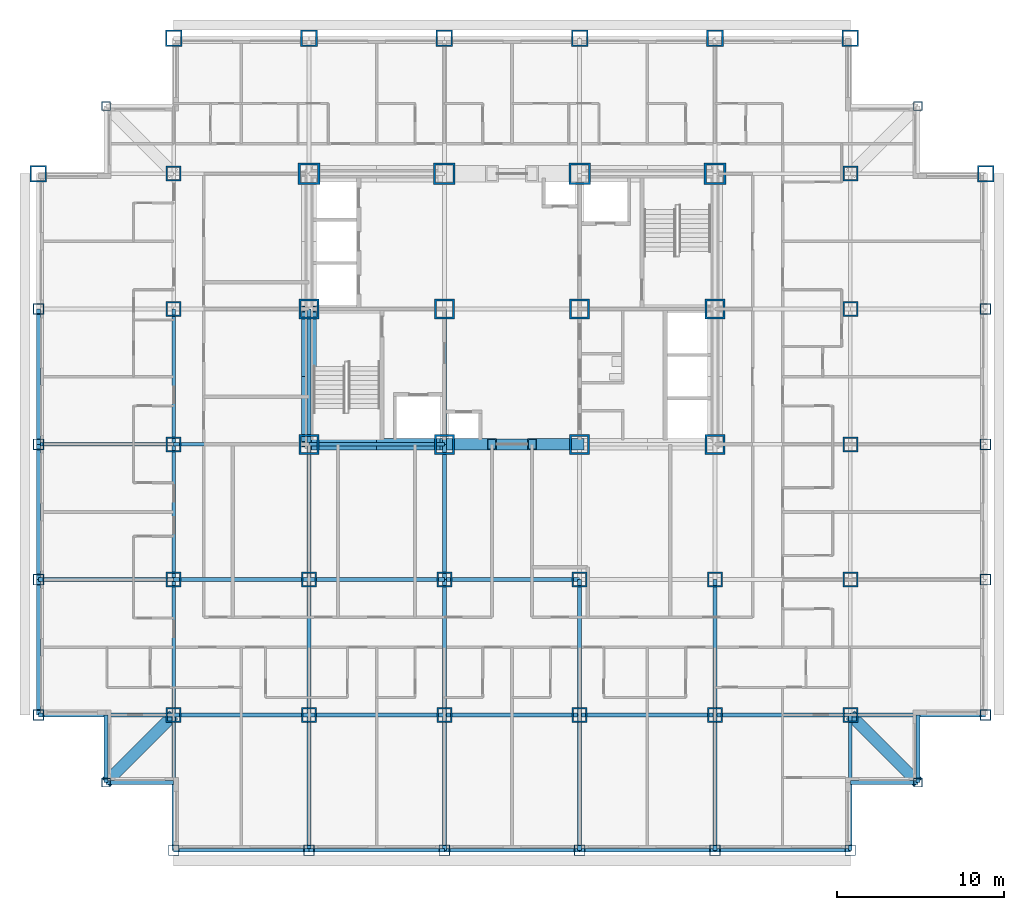
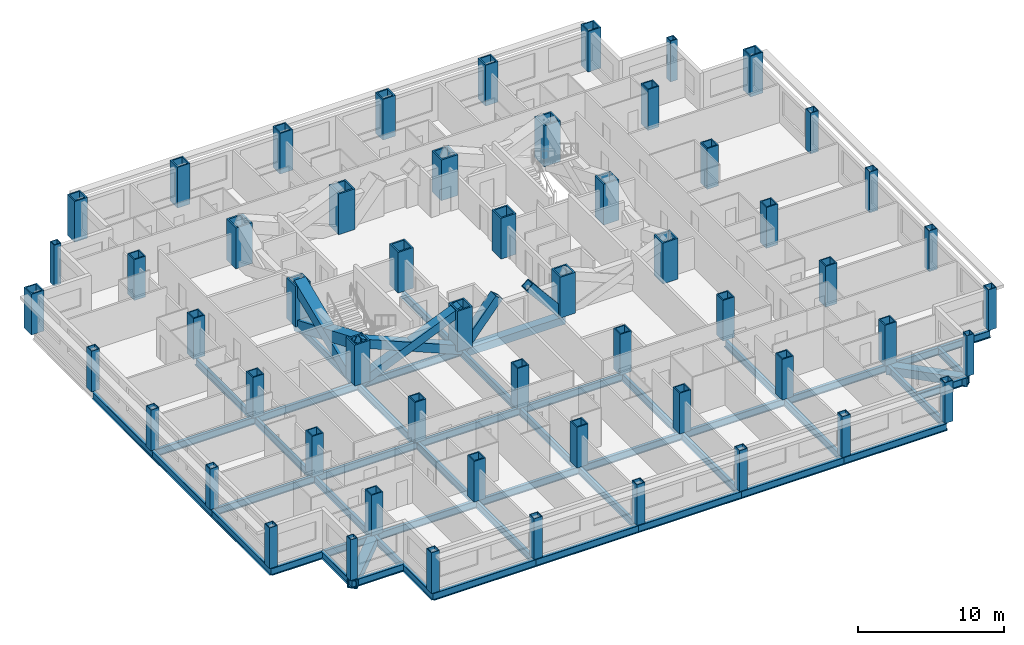
# One storey, part 1 of 13: 56 columns, 46 beams, 6 members.
"""IFC4 building model written with IfcOpenShell, lengths in metres."""

from ifc_helpers import new_model, si_unit, direction, frame, origin, origin_2d, place, context, subcontext, project, spatial, hollow_rectangle, i_section, extrude, material, material_profile, profile_set, type_object, element, save


model = new_model("IFC4")

# Units and contexts
model_context = context("Model", 3, precision=1e-05, world=origin(), true_north=direction((0.0, 1.0)))
body_context = subcontext(model_context, "Body", "Model", "MODEL_VIEW")
ifc_project = project(units=[si_unit("LENGTHUNIT", "METRE"), si_unit("AREAUNIT", "SQUARE_METRE"), si_unit("VOLUMEUNIT", "CUBIC_METRE"), si_unit("PLANEANGLEUNIT", "RADIAN"), si_unit("MASSUNIT", "GRAM", prefix="KILO")], contexts=[model_context])

# Site, building, storey
site_placement = place(None, origin())
site = spatial("IfcSite", under=ifc_project, at=site_placement, CompositionType="ELEMENT")
building_placement = place(site_placement, origin())
building = spatial("IfcBuilding", under=site, at=building_placement, Name="Kopane Lantern Tower", CompositionType="ELEMENT")
storey_placement = place(building_placement, frame((0.0, 0.0, 67.0)))
storey = spatial("IfcBuildingStorey", under=building, at=storey_placement, Name="L16", CompositionType="ELEMENT", Elevation=67.0)

# Columns
ifc_material_1 = material(Name="Steel S355JR", Category="steel")
ifc_material_profile_1 = material_profile(ifc_material_1, hollow_rectangle(XDim=1.0, YDim=1.0, WallThickness=0.10009765625, at=origin_2d()), Name="BOX 1000x1000x100")
ifc_profile_set_1 = profile_set([ifc_material_profile_1], Name="Steel S355JR")
column_type_1 = type_object("IfcColumnType", Name="COLUMN BOX 1000x1000x100", PredefinedType="COLUMN", material=ifc_profile_set_1)
for number, where, z_axis, x_axis, name in (
    (1, (0.0, 40.5, 0.0), (0.0, 0.0, 1.0), (1.0, 0.0, 0.0), "Column 2/G L16"),
    (2, (8.10009765625, 48.60009765625, 0.0), (0.0, 0.0, 1.0), (1.0, 0.0, 0.0), "Column 3/H L16"),
    (3, (16.199951171875, 48.60009765625, 0.0), (0.0, 0.0, 1.0), (1.0, 0.0, 0.0), "Column 4/H L16"),
    (4, (24.300048828125, 48.60009765625, 0.0), (0.0, 0.0, 1.0), (1.0, 0.0, 0.0), "Column 5/H L16"),
    (5, (32.39990234375, 48.60009765625, 0.0), (0.0, 0.0, 1.0), (1.0, 0.0, 0.0), "Column 6/H L16"),
    (6, (40.5, 48.60009765625, 0.0), (0.0, 0.0, 1.0), (1.0, 0.0, 0.0), "Column 7/H L16"),
    (7, (48.60009765625, 48.60009765625, 0.0), (0.0, 0.0, 1.0), (1.0, 0.0, 0.0), "Column 8/H L16"),
    (8, (56.699951171875, 40.5, 0.0), (0.0, 0.0, 1.0), (1.0, 0.0, 0.0), "Column 9/G L16"),
):
    element("IfcColumn", number, at=place(storey_placement, frame(where, z_axis=z_axis, x_axis=x_axis)), inside=storey, type_object=column_type_1, Name=name, PredefinedType="COLUMN", context=body_context, shape_type="SweptSolid", body=[
        extrude(hollow_rectangle(XDim=1.0, YDim=1.0, WallThickness=0.10009765625, at=origin_2d()), origin(), (0.0, 0.0, 1.0), 3.39990234375),
    ])
ifc_material_2 = material(Name="Steel S355JR", Category="steel")
ifc_material_profile_2 = material_profile(ifc_material_2, hollow_rectangle(XDim=1.199951171875, YDim=1.199951171875, WallThickness=0.1201171875, at=origin_2d()), Name="BOX 1200x1200x120")
ifc_profile_set_2 = profile_set([ifc_material_profile_2], Name="Steel S355JR")
column_type_2 = type_object("IfcColumnType", Name="COLUMN BOX 1200x1200x120", PredefinedType="COLUMN", material=ifc_profile_set_2)
for number, where, z_axis, x_axis, name in (
    (9, (16.199951171875, 24.300048828125, 0.0), (0.0, 0.0, 1.0), (1.0, 0.0, 0.0), "Column 4/E L16"),
    (10, (16.199951171875, 32.39990234375, 0.0), (0.0, 0.0, 1.0), (1.0, 0.0, 0.0), "Column 4/F L16"),
    (11, (24.300048828125, 24.300048828125, 0.0), (0.0, 0.0, 1.0), (1.0, 0.0, 0.0), "Column 5/E L16"),
    (12, (24.300048828125, 32.39990234375, 0.0), (0.0, 0.0, 1.0), (1.0, 0.0, 0.0), "Column 5/F L16"),
    (13, (32.39990234375, 24.300048828125, 0.0), (0.0, 0.0, 1.0), (1.0, 0.0, 0.0), "Column 6/E L16"),
    (14, (32.39990234375, 32.39990234375, 0.0), (0.0, 0.0, 1.0), (1.0, 0.0, 0.0), "Column 6/F L16"),
    (15, (40.5, 24.300048828125, 0.0), (0.0, 0.0, 1.0), (1.0, 0.0, 0.0), "Column 7/E L16"),
    (16, (40.5, 32.39990234375, 0.0), (0.0, 0.0, 1.0), (1.0, 0.0, 0.0), "Column 7/F L16"),
):
    element("IfcColumn", number, at=place(storey_placement, frame(where, z_axis=z_axis, x_axis=x_axis)), inside=storey, type_object=column_type_2, Name=name, PredefinedType="COLUMN", context=body_context, shape_type="SweptSolid", body=[
        extrude(hollow_rectangle(XDim=1.199951171875, YDim=1.199951171875, WallThickness=0.1201171875, at=origin_2d()), origin(), (0.0, 0.0, 1.0), 3.39990234375),
    ])
ifc_material_3 = material(Name="Steel S355JR", Category="steel")
ifc_material_profile_3 = material_profile(ifc_material_3, hollow_rectangle(XDim=1.300048828125, YDim=1.300048828125, WallThickness=0.1298828125, at=origin_2d()), Name="BOX 1300x1300x130")
ifc_profile_set_3 = profile_set([ifc_material_profile_3], Name="Steel S355JR")
column_type_3 = type_object("IfcColumnType", Name="COLUMN BOX 1300x1300x130", PredefinedType="COLUMN", material=ifc_profile_set_3)
for number, where, z_axis, x_axis, name in (
    (17, (16.199951171875, 40.5, 0.0), (0.0, 0.0, 1.0), (1.0, 0.0, 0.0), "Column 4/G L16"),
    (18, (24.300048828125, 40.5, 0.0), (0.0, 0.0, 1.0), (1.0, 0.0, 0.0), "Column 5/G L16"),
    (19, (32.39990234375, 40.5, 0.0), (0.0, 0.0, 1.0), (1.0, 0.0, 0.0), "Column 6/G L16"),
    (20, (40.5, 40.5, 0.0), (0.0, 0.0, 1.0), (1.0, 0.0, 0.0), "Column 7/G L16"),
):
    element("IfcColumn", number, at=place(storey_placement, frame(where, z_axis=z_axis, x_axis=x_axis)), inside=storey, type_object=column_type_3, Name=name, PredefinedType="COLUMN", context=body_context, shape_type="SweptSolid", body=[
        extrude(hollow_rectangle(XDim=1.300048828125, YDim=1.300048828125, WallThickness=0.1298828125, at=origin_2d()), origin(), (0.0, 0.0, 1.0), 3.39990234375),
    ])
ifc_material_4 = material(Name="Steel S355JR", Category="steel")
ifc_material_profile_4 = material_profile(ifc_material_4, hollow_rectangle(XDim=0.550048828125, YDim=0.550048828125, WallThickness=0.050048828125, at=origin_2d()), Name="BOX 550x550x50")
ifc_profile_set_4 = profile_set([ifc_material_profile_4], Name="Steel S355JR")
column_type_4 = type_object("IfcColumnType", Name="COLUMN BOX 550x550x50", PredefinedType="COLUMN", material=ifc_profile_set_4)
for number, where, z_axis, x_axis, name in (
    (21, (4.050048828125, 4.050048828125, 0.0), (0.0, 0.0, 1.0), (1.0, 0.0, 0.0), "Column 4.05/4.05 L16"),
    (22, (4.050048828125, 44.550048828125, 0.0), (0.0, 0.0, 1.0), (1.0, 0.0, 0.0), "Column 4.05/44.55 L16"),
    (23, (52.64990234375, 4.050048828125, 0.0), (0.0, 0.0, 1.0), (1.0, 0.0, 0.0), "Column 52.65/4.05 L16"),
    (24, (52.64990234375, 44.550048828125, 0.0), (0.0, 0.0, 1.0), (1.0, 0.0, 0.0), "Column 52.65/44.55 L16"),
):
    element("IfcColumn", number, at=place(storey_placement, frame(where, z_axis=z_axis, x_axis=x_axis)), inside=storey, type_object=column_type_4, Name=name, PredefinedType="COLUMN", context=body_context, shape_type="SweptSolid", body=[
        extrude(hollow_rectangle(XDim=0.550048828125, YDim=0.550048828125, WallThickness=0.050048828125, at=origin_2d()), origin(), (0.0, 0.0, 1.0), 3.39990234375),
    ])
ifc_material_5 = material(Name="Steel S355JR", Category="steel")
ifc_material_profile_5 = material_profile(ifc_material_5, hollow_rectangle(XDim=0.64990234375, YDim=0.64990234375, WallThickness=0.050048828125, at=origin_2d()), Name="BOX 650x650x50")
ifc_profile_set_5 = profile_set([ifc_material_profile_5], Name="Steel S355JR")
column_type_5 = type_object("IfcColumnType", Name="COLUMN BOX 650x650x50", PredefinedType="COLUMN", material=ifc_profile_set_5)
for number, where, z_axis, x_axis, name in (
    (25, (0.0, 8.10009765625, 0.0), (0.0, 0.0, 1.0), (1.0, 0.0, 0.0), "Column 2/C L16"),
    (26, (0.0, 16.199951171875, 0.0), (0.0, 0.0, 1.0), (1.0, 0.0, 0.0), "Column 2/D L16"),
    (27, (0.0, 24.300048828125, 0.0), (0.0, 0.0, 1.0), (1.0, 0.0, 0.0), "Column 2/E L16"),
    (28, (0.0, 32.39990234375, 0.0), (0.0, 0.0, 1.0), (1.0, 0.0, 0.0), "Column 2/F L16"),
    (29, (8.10009765625, 0.0, 0.0), (0.0, 0.0, 1.0), (1.0, 0.0, 0.0), "Column 3/B L16"),
    (30, (16.199951171875, 0.0, 0.0), (0.0, 0.0, 1.0), (1.0, 0.0, 0.0), "Column 4/B L16"),
    (31, (24.300048828125, 0.0, 0.0), (0.0, 0.0, 1.0), (1.0, 0.0, 0.0), "Column 5/B L16"),
    (32, (32.39990234375, 0.0, 0.0), (0.0, 0.0, 1.0), (1.0, 0.0, 0.0), "Column 6/B L16"),
    (33, (40.5, 0.0, 0.0), (0.0, 0.0, 1.0), (1.0, 0.0, 0.0), "Column 7/B L16"),
    (34, (48.60009765625, 0.0, 0.0), (0.0, 0.0, 1.0), (1.0, 0.0, 0.0), "Column 8/B L16"),
    (35, (56.699951171875, 8.10009765625, 0.0), (0.0, 0.0, 1.0), (1.0, 0.0, 0.0), "Column 9/C L16"),
    (36, (56.699951171875, 16.199951171875, 0.0), (0.0, 0.0, 1.0), (1.0, 0.0, 0.0), "Column 9/D L16"),
    (37, (56.699951171875, 24.300048828125, 0.0), (0.0, 0.0, 1.0), (1.0, 0.0, 0.0), "Column 9/E L16"),
    (38, (56.699951171875, 32.39990234375, 0.0), (0.0, 0.0, 1.0), (1.0, 0.0, 0.0), "Column 9/F L16"),
):
    element("IfcColumn", number, at=place(storey_placement, frame(where, z_axis=z_axis, x_axis=x_axis)), inside=storey, type_object=column_type_5, Name=name, PredefinedType="COLUMN", context=body_context, shape_type="SweptSolid", body=[
        extrude(hollow_rectangle(XDim=0.64990234375, YDim=0.64990234375, WallThickness=0.050048828125, at=origin_2d()), origin(), (0.0, 0.0, 1.0), 3.39990234375),
    ])
ifc_material_6 = material(Name="Steel S355JR", Category="steel")
ifc_material_profile_6 = material_profile(ifc_material_6, hollow_rectangle(XDim=0.89990234375, YDim=0.89990234375, WallThickness=0.090087890625, at=origin_2d()), Name="BOX 900x900x90")
ifc_profile_set_6 = profile_set([ifc_material_profile_6], Name="Steel S355JR")
column_type_6 = type_object("IfcColumnType", Name="COLUMN BOX 900x900x90", PredefinedType="COLUMN", material=ifc_profile_set_6)
for number, where, z_axis, x_axis, name in (
    (39, (8.10009765625, 8.10009765625, 0.0), (0.0, 0.0, 1.0), (1.0, 0.0, 0.0), "Column 3/C L16"),
    (40, (8.10009765625, 16.199951171875, 0.0), (0.0, 0.0, 1.0), (1.0, 0.0, 0.0), "Column 3/D L16"),
    (41, (8.10009765625, 24.300048828125, 0.0), (0.0, 0.0, 1.0), (1.0, 0.0, 0.0), "Column 3/E L16"),
    (42, (8.10009765625, 32.39990234375, 0.0), (0.0, 0.0, 1.0), (1.0, 0.0, 0.0), "Column 3/F L16"),
    (43, (8.10009765625, 40.5, 0.0), (0.0, 0.0, 1.0), (1.0, 0.0, 0.0), "Column 3/G L16"),
    (44, (16.199951171875, 8.10009765625, 0.0), (0.0, 0.0, 1.0), (1.0, 0.0, 0.0), "Column 4/C L16"),
    (45, (16.199951171875, 16.199951171875, 0.0), (0.0, 0.0, 1.0), (1.0, 0.0, 0.0), "Column 4/D L16"),
    (46, (24.300048828125, 8.10009765625, 0.0), (0.0, 0.0, 1.0), (1.0, 0.0, 0.0), "Column 5/C L16"),
    (47, (24.300048828125, 16.199951171875, 0.0), (0.0, 0.0, 1.0), (1.0, 0.0, 0.0), "Column 5/D L16"),
    (48, (32.39990234375, 8.10009765625, 0.0), (0.0, 0.0, 1.0), (1.0, 0.0, 0.0), "Column 6/C L16"),
    (49, (32.39990234375, 16.199951171875, 0.0), (0.0, 0.0, 1.0), (1.0, 0.0, 0.0), "Column 6/D L16"),
    (50, (40.5, 8.10009765625, 0.0), (0.0, 0.0, 1.0), (1.0, 0.0, 0.0), "Column 7/C L16"),
    (51, (40.5, 16.199951171875, 0.0), (0.0, 0.0, 1.0), (1.0, 0.0, 0.0), "Column 7/D L16"),
    (52, (48.60009765625, 8.10009765625, 0.0), (0.0, 0.0, 1.0), (1.0, 0.0, 0.0), "Column 8/C L16"),
    (53, (48.60009765625, 16.199951171875, 0.0), (0.0, 0.0, 1.0), (1.0, 0.0, 0.0), "Column 8/D L16"),
    (54, (48.60009765625, 24.300048828125, 0.0), (0.0, 0.0, 1.0), (1.0, 0.0, 0.0), "Column 8/E L16"),
    (55, (48.60009765625, 32.39990234375, 0.0), (0.0, 0.0, 1.0), (1.0, 0.0, 0.0), "Column 8/F L16"),
    (56, (48.60009765625, 40.5, 0.0), (0.0, 0.0, 1.0), (1.0, 0.0, 0.0), "Column 8/G L16"),
):
    element("IfcColumn", number, at=place(storey_placement, frame(where, z_axis=z_axis, x_axis=x_axis)), inside=storey, type_object=column_type_6, Name=name, PredefinedType="COLUMN", context=body_context, shape_type="SweptSolid", body=[
        extrude(hollow_rectangle(XDim=0.89990234375, YDim=0.89990234375, WallThickness=0.090087890625, at=origin_2d()), origin(), (0.0, 0.0, 1.0), 3.39990234375),
    ])

# Members
ifc_material_7 = material(Name="Steel S355JR", Category="steel")
ifc_material_profile_7 = material_profile(ifc_material_7, hollow_rectangle(XDim=0.699951171875, YDim=0.699951171875, WallThickness=0.06005859375, at=origin_2d()), Name="BOX 700x700x60")
ifc_profile_set_7 = profile_set([ifc_material_profile_7], Name="Steel S355JR")
member_type_1 = type_object("IfcMemberType", Name="BRACE BOX 700x700x60", PredefinedType="BRACE", material=ifc_profile_set_7)
for number, where, z_axis, x_axis, name in (
    (57, (16.199951171875, 24.300048828125, -0.2099609375), (0.922069000757, 0.0, 0.387025526088), (0.0, 1.0, 0.0), "Core brace L16"),
    (58, (24.300048828125, 24.300048828125, -0.2099609375), (-0.922069000757, 0.0, 0.387025526088), (0.0, -1.0, 0.0), "Core brace L16"),
):
    element("IfcMember", number, at=place(storey_placement, frame(where, z_axis=z_axis, x_axis=x_axis)), inside=storey, type_object=member_type_1, Name=name, PredefinedType="BRACE", context=body_context, shape_type="SweptSolid", body=[
        extrude(hollow_rectangle(XDim=0.699951171875, YDim=0.699951171875, WallThickness=0.06005859375, at=origin_2d()), origin(), (0.0, 0.0, 1.0), 8.78466796875),
    ])
for number, where, z_axis, x_axis, name in (
    (59, (24.300048828125, 24.300048828125, -0.2099609375), (0.642390257445, 0.0, 0.7663776857), (0.0, 1.0, 0.0), "Core brace L16"),
    (60, (32.39990234375, 24.300048828125, -0.2099609375), (-0.642390257445, 0.0, 0.7663776857), (0.0, -1.0, 0.0), "Core brace L16"),
):
    element("IfcMember", number, at=place(storey_placement, frame(where, z_axis=z_axis, x_axis=x_axis)), inside=storey, type_object=member_type_1, Name=name, PredefinedType="BRACE", context=body_context, shape_type="SweptSolid", body=[
        extrude(hollow_rectangle(XDim=0.699951171875, YDim=0.699951171875, WallThickness=0.06005859375, at=origin_2d()), origin(), (0.0, 0.0, 1.0), 4.436279296875),
    ])
ifc_material_8 = material(Name="Steel S355JR", Category="steel")
ifc_material_profile_8 = material_profile(ifc_material_8, hollow_rectangle(XDim=0.89990234375, YDim=0.89990234375, WallThickness=0.090087890625, at=origin_2d()), Name="BOX 900x900x90")
ifc_profile_set_8 = profile_set([ifc_material_profile_8], Name="Steel S355JR")
member_type_2 = type_object("IfcMemberType", Name="BRACE BOX 900x900x90", PredefinedType="BRACE", material=ifc_profile_set_8)
for number, where, z_axis, x_axis, name in (
    (61, (16.199951171875, 24.300048828125, -0.2099609375), (0.0, 0.922064837731, 0.38703544414), (-1.0, 0.0, 0.0), "Core brace L16"),
    (62, (16.199951171875, 32.39990234375, -0.2099609375), (0.0, -0.922064837731, 0.38703544414), (1.0, 0.0, 0.0), "Core brace L16"),
):
    element("IfcMember", number, at=place(storey_placement, frame(where, z_axis=z_axis, x_axis=x_axis)), inside=storey, type_object=member_type_2, Name=name, PredefinedType="BRACE", context=body_context, shape_type="SweptSolid", body=[
        extrude(hollow_rectangle(XDim=0.89990234375, YDim=0.89990234375, WallThickness=0.090087890625, at=origin_2d()), origin(), (0.0, 0.0, 1.0), 8.784423828125),
    ])

# Beams
ifc_material_9 = material(Name="Steel S355JR", Category="steel")
ifc_material_profile_9 = material_profile(ifc_material_9, i_section(OverallWidth=0.22900390625, OverallDepth=0.6123046875, WebThickness=0.011962890625, FlangeThickness=0.01953125, FilletRadius=0.0126953125, at=origin_2d()), Name="UB 610x229x125")
ifc_profile_set_9 = profile_set([ifc_material_profile_9], Name="Steel S355JR")
beam_type_1 = type_object("IfcBeamType", Name="CORE BEAM UB 610x229x125", PredefinedType="BEAM", material=ifc_profile_set_9)
beam_1_placement = place(storey_placement, frame((24.300048828125, 24.300048828125, -0.51611328125), z_axis=(0.0, 1.0, 0.0), x_axis=(-1.0, 0.0, 0.0)))
element("IfcBeam", 63, at=beam_1_placement, inside=storey, type_object=beam_type_1, Name="Core Beam L16", PredefinedType="BEAM", context=body_context, shape_type="SweptSolid", body=[
    extrude(i_section(OverallWidth=0.22900390625, OverallDepth=0.6123046875, WebThickness=0.011962890625, FlangeThickness=0.01953125, FilletRadius=0.0126953125, at=origin_2d()), origin(), (0.0, 0.0, 1.0), 8.099853515625),
])
ifc_material_10 = material(Name="Steel S355JR", Category="steel")
ifc_material_profile_10 = material_profile(ifc_material_10, hollow_rectangle(XDim=0.699951171875, YDim=0.699951171875, WallThickness=0.06005859375, at=origin_2d()), Name="BOX 700x700x60")
ifc_profile_set_10 = profile_set([ifc_material_profile_10], Name="Steel S355JR")
beam_type_2 = type_object("IfcBeamType", Name="CORNER TIE BEAM BOX 700x700x60", PredefinedType="BEAM", material=ifc_profile_set_10)
for number, where, z_axis, x_axis, name in (
    (64, (4.050048828125, 4.050048828125, -0.56005859375), (0.707106781187, 0.707106781187, 0.0), (-0.707106781187, 0.707106781187, 0.0), "Corner Tie Beam L16"),
    (65, (52.64990234375, 4.050048828125, -0.56005859375), (-0.707085467703, 0.707128094028, 0.0), (-0.707128094028, -0.707085467703, 0.0), "Corner Tie Beam L16"),
):
    element("IfcBeam", number, at=place(storey_placement, frame(where, z_axis=z_axis, x_axis=x_axis)), inside=storey, type_object=beam_type_2, Name=name, PredefinedType="BEAM", context=body_context, shape_type="SweptSolid", body=[
        extrude(hollow_rectangle(XDim=0.699951171875, YDim=0.699951171875, WallThickness=0.06005859375, at=origin_2d()), origin(), (0.0, 0.0, 1.0), 5.7275390625),
    ])
ifc_material_11 = material(Name="Steel S355JR", Category="steel")
ifc_material_profile_11 = material_profile(ifc_material_11, i_section(OverallWidth=0.22900390625, OverallDepth=0.6123046875, WebThickness=0.011962890625, FlangeThickness=0.01953125, FilletRadius=0.0126953125, at=origin_2d()), Name="UB 610x229x125")
ifc_profile_set_11 = profile_set([ifc_material_profile_11], Name="Steel S355JR")
beam_type_3 = type_object("IfcBeamType", Name="EDGE BEAM UB 610x229x125", PredefinedType="BEAM", material=ifc_profile_set_11)
for number, where, z_axis, x_axis, name in (
    (66, (4.050048828125, 4.050048828125, -0.51611328125), (0.0, 1.0, 0.0), (-1.0, 0.0, 0.0), "Edge Beam L16"),
    (67, (4.050048828125, 4.050048828125, -0.51611328125), (1.0, 0.0, 0.0), (0.0, 1.0, 0.0), "Edge Beam L16"),
):
    element("IfcBeam", number, at=place(storey_placement, frame(where, z_axis=z_axis, x_axis=x_axis)), inside=storey, type_object=beam_type_3, Name=name, PredefinedType="BEAM", context=body_context, shape_type="SweptSolid", body=[
        extrude(i_section(OverallWidth=0.22900390625, OverallDepth=0.6123046875, WebThickness=0.011962890625, FlangeThickness=0.01953125, FilletRadius=0.0126953125, at=origin_2d()), origin(), (0.0, 0.0, 1.0), 4.050048828125),
    ])
beam_2_placement = place(storey_placement, frame((52.64990234375, 4.050048828125, -0.51611328125), z_axis=(-1.0, 0.0, 0.0), x_axis=(0.0, -1.0, 0.0)))
element("IfcBeam", 68, at=beam_2_placement, inside=storey, type_object=beam_type_3, Name="Edge Beam L16", PredefinedType="BEAM", context=body_context, shape_type="SweptSolid", body=[
    extrude(i_section(OverallWidth=0.22900390625, OverallDepth=0.6123046875, WebThickness=0.011962890625, FlangeThickness=0.01953125, FilletRadius=0.0126953125, at=origin_2d()), origin(), (0.0, 0.0, 1.0), 4.0498046875),
])
beam_3_placement = place(storey_placement, frame((52.64990234375, 4.050048828125, -0.51611328125), z_axis=(0.0, 1.0, 0.0), x_axis=(-1.0, 0.0, 0.0)))
element("IfcBeam", 69, at=beam_3_placement, inside=storey, type_object=beam_type_3, Name="Edge Beam L16", PredefinedType="BEAM", context=body_context, shape_type="SweptSolid", body=[
    extrude(i_section(OverallWidth=0.22900390625, OverallDepth=0.6123046875, WebThickness=0.011962890625, FlangeThickness=0.01953125, FilletRadius=0.0126953125, at=origin_2d()), origin(), (0.0, 0.0, 1.0), 4.050048828125),
])
ifc_material_12 = material(Name="Steel S355JR", Category="steel")
ifc_material_profile_12 = material_profile(ifc_material_12, i_section(OverallWidth=0.22900390625, OverallDepth=0.6123046875, WebThickness=0.011962890625, FlangeThickness=0.01953125, FilletRadius=0.0126953125, at=origin_2d()), Name="UB 610x229x125")
ifc_profile_set_12 = profile_set([ifc_material_profile_12], Name="Steel S355JR")
beam_type_4 = type_object("IfcBeamType", Name="GIRDER UB 610x229x125", PredefinedType="BEAM", material=ifc_profile_set_12)
beam_4_placement = place(storey_placement, frame((0.0, 8.10009765625, -0.51611328125), z_axis=(0.0, 1.0, 0.0), x_axis=(-1.0, 0.0, 0.0)))
element("IfcBeam", 70, at=beam_4_placement, inside=storey, type_object=beam_type_4, Name="Girder L16", PredefinedType="BEAM", context=body_context, shape_type="SweptSolid", body=[
    extrude(i_section(OverallWidth=0.22900390625, OverallDepth=0.6123046875, WebThickness=0.011962890625, FlangeThickness=0.01953125, FilletRadius=0.0126953125, at=origin_2d()), origin(), (0.0, 0.0, 1.0), 8.099853515625),
])
for number, where, z_axis, x_axis, name in (
    (71, (0.0, 8.10009765625, -0.51611328125), (1.0, 0.0, 0.0), (0.0, 1.0, 0.0), "Girder L16"),
    (72, (0.0, 16.199951171875, -0.51611328125), (0.0, 1.0, 0.0), (-1.0, 0.0, 0.0), "Girder L16"),
    (73, (0.0, 16.199951171875, -0.51611328125), (1.0, 0.0, 0.0), (0.0, 1.0, 0.0), "Girder L16"),
):
    element("IfcBeam", number, at=place(storey_placement, frame(where, z_axis=z_axis, x_axis=x_axis)), inside=storey, type_object=beam_type_4, Name=name, PredefinedType="BEAM", context=body_context, shape_type="SweptSolid", body=[
        extrude(i_section(OverallWidth=0.22900390625, OverallDepth=0.6123046875, WebThickness=0.011962890625, FlangeThickness=0.01953125, FilletRadius=0.0126953125, at=origin_2d()), origin(), (0.0, 0.0, 1.0), 8.10009765625),
    ])
beam_5_placement = place(storey_placement, frame((0.0, 24.300048828125, -0.51611328125), z_axis=(0.0, 1.0, 0.0), x_axis=(-1.0, 0.0, 0.0)))
element("IfcBeam", 74, at=beam_5_placement, inside=storey, type_object=beam_type_4, Name="Girder L16", PredefinedType="BEAM", context=body_context, shape_type="SweptSolid", body=[
    extrude(i_section(OverallWidth=0.22900390625, OverallDepth=0.6123046875, WebThickness=0.011962890625, FlangeThickness=0.01953125, FilletRadius=0.0126953125, at=origin_2d()), origin(), (0.0, 0.0, 1.0), 8.099853515625),
])
for number, where, z_axis, x_axis, name in (
    (75, (0.0, 24.300048828125, -0.51611328125), (1.0, 0.0, 0.0), (0.0, 1.0, 0.0), "Girder L16"),
    (76, (8.10009765625, 0.0, -0.51611328125), (0.0, 1.0, 0.0), (-1.0, 0.0, 0.0), "Girder L16"),
):
    element("IfcBeam", number, at=place(storey_placement, frame(where, z_axis=z_axis, x_axis=x_axis)), inside=storey, type_object=beam_type_4, Name=name, PredefinedType="BEAM", context=body_context, shape_type="SweptSolid", body=[
        extrude(i_section(OverallWidth=0.22900390625, OverallDepth=0.6123046875, WebThickness=0.011962890625, FlangeThickness=0.01953125, FilletRadius=0.0126953125, at=origin_2d()), origin(), (0.0, 0.0, 1.0), 8.10009765625),
    ])
for number, where, z_axis, x_axis, name in (
    (77, (8.10009765625, 0.0, -0.51611328125), (1.0, 0.0, 0.0), (0.0, 1.0, 0.0), "Girder L16"),
    (78, (8.10009765625, 8.10009765625, -0.51611328125), (0.0, 1.0, 0.0), (-1.0, 0.0, 0.0), "Girder L16"),
    (79, (8.10009765625, 8.10009765625, -0.51611328125), (1.0, 0.0, 0.0), (0.0, 1.0, 0.0), "Girder L16"),
):
    element("IfcBeam", number, at=place(storey_placement, frame(where, z_axis=z_axis, x_axis=x_axis)), inside=storey, type_object=beam_type_4, Name=name, PredefinedType="BEAM", context=body_context, shape_type="SweptSolid", body=[
        extrude(i_section(OverallWidth=0.22900390625, OverallDepth=0.6123046875, WebThickness=0.011962890625, FlangeThickness=0.01953125, FilletRadius=0.0126953125, at=origin_2d()), origin(), (0.0, 0.0, 1.0), 8.099853515625),
    ])
beam_6_placement = place(storey_placement, frame((8.10009765625, 16.199951171875, -0.51611328125), z_axis=(0.0, 1.0, 0.0), x_axis=(-1.0, 0.0, 0.0)))
element("IfcBeam", 80, at=beam_6_placement, inside=storey, type_object=beam_type_4, Name="Girder L16", PredefinedType="BEAM", context=body_context, shape_type="SweptSolid", body=[
    extrude(i_section(OverallWidth=0.22900390625, OverallDepth=0.6123046875, WebThickness=0.011962890625, FlangeThickness=0.01953125, FilletRadius=0.0126953125, at=origin_2d()), origin(), (0.0, 0.0, 1.0), 8.10009765625),
])
for number, where, z_axis, x_axis, name in (
    (81, (8.10009765625, 16.199951171875, -0.51611328125), (1.0, 0.0, 0.0), (0.0, 1.0, 0.0), "Girder L16"),
    (82, (8.10009765625, 24.300048828125, -0.51611328125), (0.0, 1.0, 0.0), (-1.0, 0.0, 0.0), "Girder L16"),
    (83, (8.10009765625, 24.300048828125, -0.51611328125), (1.0, 0.0, 0.0), (0.0, 1.0, 0.0), "Girder L16"),
):
    element("IfcBeam", number, at=place(storey_placement, frame(where, z_axis=z_axis, x_axis=x_axis)), inside=storey, type_object=beam_type_4, Name=name, PredefinedType="BEAM", context=body_context, shape_type="SweptSolid", body=[
        extrude(i_section(OverallWidth=0.22900390625, OverallDepth=0.6123046875, WebThickness=0.011962890625, FlangeThickness=0.01953125, FilletRadius=0.0126953125, at=origin_2d()), origin(), (0.0, 0.0, 1.0), 8.099853515625),
    ])
for number, where, z_axis, x_axis, name in (
    (84, (16.199951171875, 0.0, -0.51611328125), (0.0, 1.0, 0.0), (-1.0, 0.0, 0.0), "Girder L16"),
    (85, (16.199951171875, 0.0, -0.51611328125), (1.0, 0.0, 0.0), (0.0, 1.0, 0.0), "Girder L16"),
):
    element("IfcBeam", number, at=place(storey_placement, frame(where, z_axis=z_axis, x_axis=x_axis)), inside=storey, type_object=beam_type_4, Name=name, PredefinedType="BEAM", context=body_context, shape_type="SweptSolid", body=[
        extrude(i_section(OverallWidth=0.22900390625, OverallDepth=0.6123046875, WebThickness=0.011962890625, FlangeThickness=0.01953125, FilletRadius=0.0126953125, at=origin_2d()), origin(), (0.0, 0.0, 1.0), 8.10009765625),
    ])
beam_7_placement = place(storey_placement, frame((16.199951171875, 8.10009765625, -0.51611328125), z_axis=(0.0, 1.0, 0.0), x_axis=(-1.0, 0.0, 0.0)))
element("IfcBeam", 86, at=beam_7_placement, inside=storey, type_object=beam_type_4, Name="Girder L16", PredefinedType="BEAM", context=body_context, shape_type="SweptSolid", body=[
    extrude(i_section(OverallWidth=0.22900390625, OverallDepth=0.6123046875, WebThickness=0.011962890625, FlangeThickness=0.01953125, FilletRadius=0.0126953125, at=origin_2d()), origin(), (0.0, 0.0, 1.0), 8.099853515625),
])
for number, where, z_axis, x_axis, name in (
    (87, (16.199951171875, 8.10009765625, -0.51611328125), (1.0, 0.0, 0.0), (0.0, 1.0, 0.0), "Girder L16"),
    (88, (16.199951171875, 16.199951171875, -0.51611328125), (0.0, 1.0, 0.0), (-1.0, 0.0, 0.0), "Girder L16"),
    (89, (16.199951171875, 16.199951171875, -0.51611328125), (1.0, 0.0, 0.0), (0.0, 1.0, 0.0), "Girder L16"),
):
    element("IfcBeam", number, at=place(storey_placement, frame(where, z_axis=z_axis, x_axis=x_axis)), inside=storey, type_object=beam_type_4, Name=name, PredefinedType="BEAM", context=body_context, shape_type="SweptSolid", body=[
        extrude(i_section(OverallWidth=0.22900390625, OverallDepth=0.6123046875, WebThickness=0.011962890625, FlangeThickness=0.01953125, FilletRadius=0.0126953125, at=origin_2d()), origin(), (0.0, 0.0, 1.0), 8.10009765625),
    ])
beam_8_placement = place(storey_placement, frame((16.199951171875, 24.300048828125, -0.51611328125), z_axis=(0.0, 1.0, 0.0), x_axis=(-1.0, 0.0, 0.0)))
element("IfcBeam", 90, at=beam_8_placement, inside=storey, type_object=beam_type_4, Name="Girder L16", PredefinedType="BEAM", context=body_context, shape_type="SweptSolid", body=[
    extrude(i_section(OverallWidth=0.22900390625, OverallDepth=0.6123046875, WebThickness=0.011962890625, FlangeThickness=0.01953125, FilletRadius=0.0126953125, at=origin_2d()), origin(), (0.0, 0.0, 1.0), 8.099853515625),
])
for number, where, z_axis, x_axis, name in (
    (91, (16.199951171875, 24.300048828125, -0.51611328125), (1.0, 0.0, 0.0), (0.0, 1.0, 0.0), "Girder L16"),
    (92, (24.300048828125, 0.0, -0.51611328125), (0.0, 1.0, 0.0), (-1.0, 0.0, 0.0), "Girder L16"),
):
    element("IfcBeam", number, at=place(storey_placement, frame(where, z_axis=z_axis, x_axis=x_axis)), inside=storey, type_object=beam_type_4, Name=name, PredefinedType="BEAM", context=body_context, shape_type="SweptSolid", body=[
        extrude(i_section(OverallWidth=0.22900390625, OverallDepth=0.6123046875, WebThickness=0.011962890625, FlangeThickness=0.01953125, FilletRadius=0.0126953125, at=origin_2d()), origin(), (0.0, 0.0, 1.0), 8.10009765625),
    ])
for number, where, z_axis, x_axis, name in (
    (93, (24.300048828125, 0.0, -0.51611328125), (1.0, 0.0, 0.0), (0.0, 1.0, 0.0), "Girder L16"),
    (94, (24.300048828125, 8.10009765625, -0.51611328125), (0.0, 1.0, 0.0), (-1.0, 0.0, 0.0), "Girder L16"),
    (95, (24.300048828125, 8.10009765625, -0.51611328125), (1.0, 0.0, 0.0), (0.0, 1.0, 0.0), "Girder L16"),
):
    element("IfcBeam", number, at=place(storey_placement, frame(where, z_axis=z_axis, x_axis=x_axis)), inside=storey, type_object=beam_type_4, Name=name, PredefinedType="BEAM", context=body_context, shape_type="SweptSolid", body=[
        extrude(i_section(OverallWidth=0.22900390625, OverallDepth=0.6123046875, WebThickness=0.011962890625, FlangeThickness=0.01953125, FilletRadius=0.0126953125, at=origin_2d()), origin(), (0.0, 0.0, 1.0), 8.099853515625),
    ])
beam_9_placement = place(storey_placement, frame((24.300048828125, 16.199951171875, -0.51611328125), z_axis=(0.0, 1.0, 0.0), x_axis=(-1.0, 0.0, 0.0)))
element("IfcBeam", 96, at=beam_9_placement, inside=storey, type_object=beam_type_4, Name="Girder L16", PredefinedType="BEAM", context=body_context, shape_type="SweptSolid", body=[
    extrude(i_section(OverallWidth=0.22900390625, OverallDepth=0.6123046875, WebThickness=0.011962890625, FlangeThickness=0.01953125, FilletRadius=0.0126953125, at=origin_2d()), origin(), (0.0, 0.0, 1.0), 8.10009765625),
])
beam_10_placement = place(storey_placement, frame((24.300048828125, 16.199951171875, -0.51611328125), z_axis=(1.0, 0.0, 0.0), x_axis=(0.0, 1.0, 0.0)))
element("IfcBeam", 97, at=beam_10_placement, inside=storey, type_object=beam_type_4, Name="Girder L16", PredefinedType="BEAM", context=body_context, shape_type="SweptSolid", body=[
    extrude(i_section(OverallWidth=0.22900390625, OverallDepth=0.6123046875, WebThickness=0.011962890625, FlangeThickness=0.01953125, FilletRadius=0.0126953125, at=origin_2d()), origin(), (0.0, 0.0, 1.0), 8.099853515625),
])
for number, where, z_axis, x_axis, name in (
    (98, (32.39990234375, 0.0, -0.51611328125), (0.0, 1.0, 0.0), (-1.0, 0.0, 0.0), "Girder L16"),
    (99, (32.39990234375, 0.0, -0.51611328125), (1.0, 0.0, 0.0), (0.0, 1.0, 0.0), "Girder L16"),
):
    element("IfcBeam", number, at=place(storey_placement, frame(where, z_axis=z_axis, x_axis=x_axis)), inside=storey, type_object=beam_type_4, Name=name, PredefinedType="BEAM", context=body_context, shape_type="SweptSolid", body=[
        extrude(i_section(OverallWidth=0.22900390625, OverallDepth=0.6123046875, WebThickness=0.011962890625, FlangeThickness=0.01953125, FilletRadius=0.0126953125, at=origin_2d()), origin(), (0.0, 0.0, 1.0), 8.10009765625),
    ])
beam_11_placement = place(storey_placement, frame((32.39990234375, 8.10009765625, -0.51611328125), z_axis=(0.0, 1.0, 0.0), x_axis=(-1.0, 0.0, 0.0)))
element("IfcBeam", 100, at=beam_11_placement, inside=storey, type_object=beam_type_4, Name="Girder L16", PredefinedType="BEAM", context=body_context, shape_type="SweptSolid", body=[
    extrude(i_section(OverallWidth=0.22900390625, OverallDepth=0.6123046875, WebThickness=0.011962890625, FlangeThickness=0.01953125, FilletRadius=0.0126953125, at=origin_2d()), origin(), (0.0, 0.0, 1.0), 8.099853515625),
])
for number, where, z_axis, x_axis, name in (
    (101, (32.39990234375, 8.10009765625, -0.51611328125), (1.0, 0.0, 0.0), (0.0, 1.0, 0.0), "Girder L16"),
    (102, (40.5, 0.0, -0.51611328125), (0.0, 1.0, 0.0), (-1.0, 0.0, 0.0), "Girder L16"),
    (103, (40.5, 0.0, -0.51611328125), (1.0, 0.0, 0.0), (0.0, 1.0, 0.0), "Girder L16"),
):
    element("IfcBeam", number, at=place(storey_placement, frame(where, z_axis=z_axis, x_axis=x_axis)), inside=storey, type_object=beam_type_4, Name=name, PredefinedType="BEAM", context=body_context, shape_type="SweptSolid", body=[
        extrude(i_section(OverallWidth=0.22900390625, OverallDepth=0.6123046875, WebThickness=0.011962890625, FlangeThickness=0.01953125, FilletRadius=0.0126953125, at=origin_2d()), origin(), (0.0, 0.0, 1.0), 8.10009765625),
    ])
beam_12_placement = place(storey_placement, frame((40.5, 8.10009765625, -0.51611328125), z_axis=(0.0, 1.0, 0.0), x_axis=(-1.0, 0.0, 0.0)))
element("IfcBeam", 104, at=beam_12_placement, inside=storey, type_object=beam_type_4, Name="Girder L16", PredefinedType="BEAM", context=body_context, shape_type="SweptSolid", body=[
    extrude(i_section(OverallWidth=0.22900390625, OverallDepth=0.6123046875, WebThickness=0.011962890625, FlangeThickness=0.01953125, FilletRadius=0.0126953125, at=origin_2d()), origin(), (0.0, 0.0, 1.0), 8.099853515625),
])
for number, where, z_axis, x_axis, name in (
    (105, (40.5, 8.10009765625, -0.51611328125), (1.0, 0.0, 0.0), (0.0, 1.0, 0.0), "Girder L16"),
    (106, (48.60009765625, 0.0, -0.51611328125), (0.0, 1.0, 0.0), (-1.0, 0.0, 0.0), "Girder L16"),
):
    element("IfcBeam", number, at=place(storey_placement, frame(where, z_axis=z_axis, x_axis=x_axis)), inside=storey, type_object=beam_type_4, Name=name, PredefinedType="BEAM", context=body_context, shape_type="SweptSolid", body=[
        extrude(i_section(OverallWidth=0.22900390625, OverallDepth=0.6123046875, WebThickness=0.011962890625, FlangeThickness=0.01953125, FilletRadius=0.0126953125, at=origin_2d()), origin(), (0.0, 0.0, 1.0), 8.10009765625),
    ])
beam_13_placement = place(storey_placement, frame((48.60009765625, 8.10009765625, -0.51611328125), z_axis=(1.0, 0.0, 0.0), x_axis=(0.0, 1.0, 0.0)))
element("IfcBeam", 107, at=beam_13_placement, inside=storey, type_object=beam_type_4, Name="Girder L16", PredefinedType="BEAM", context=body_context, shape_type="SweptSolid", body=[
    extrude(i_section(OverallWidth=0.22900390625, OverallDepth=0.6123046875, WebThickness=0.011962890625, FlangeThickness=0.01953125, FilletRadius=0.0126953125, at=origin_2d()), origin(), (0.0, 0.0, 1.0), 8.099853515625),
])
ifc_material_13 = material(Name="Steel S355JR", Category="steel")
ifc_material_profile_13 = material_profile(ifc_material_13, hollow_rectangle(XDim=0.64990234375, YDim=0.64990234375, WallThickness=0.070068359375, at=origin_2d()), Name="BOX 650x650x70")
ifc_profile_set_13 = profile_set([ifc_material_profile_13], Name="Steel S355JR")
beam_type_5 = type_object("IfcBeamType", Name="LINK BEAM BOX 650x650x70", PredefinedType="BEAM", material=ifc_profile_set_13)
beam_14_placement = place(storey_placement, frame((24.300048828125, 24.300048828125, -0.534912109375), z_axis=(1.0, 0.0, 0.0), x_axis=(0.0, 1.0, 0.0)))
element("IfcBeam", 108, at=beam_14_placement, inside=storey, type_object=beam_type_5, Name="Link Beam L16", PredefinedType="BEAM", context=body_context, shape_type="SweptSolid", body=[
    extrude(hollow_rectangle(XDim=0.64990234375, YDim=0.64990234375, WallThickness=0.070068359375, at=origin_2d()), origin(), (0.0, 0.0, 1.0), 8.099853515625),
])

save(model, "model.ifc")
